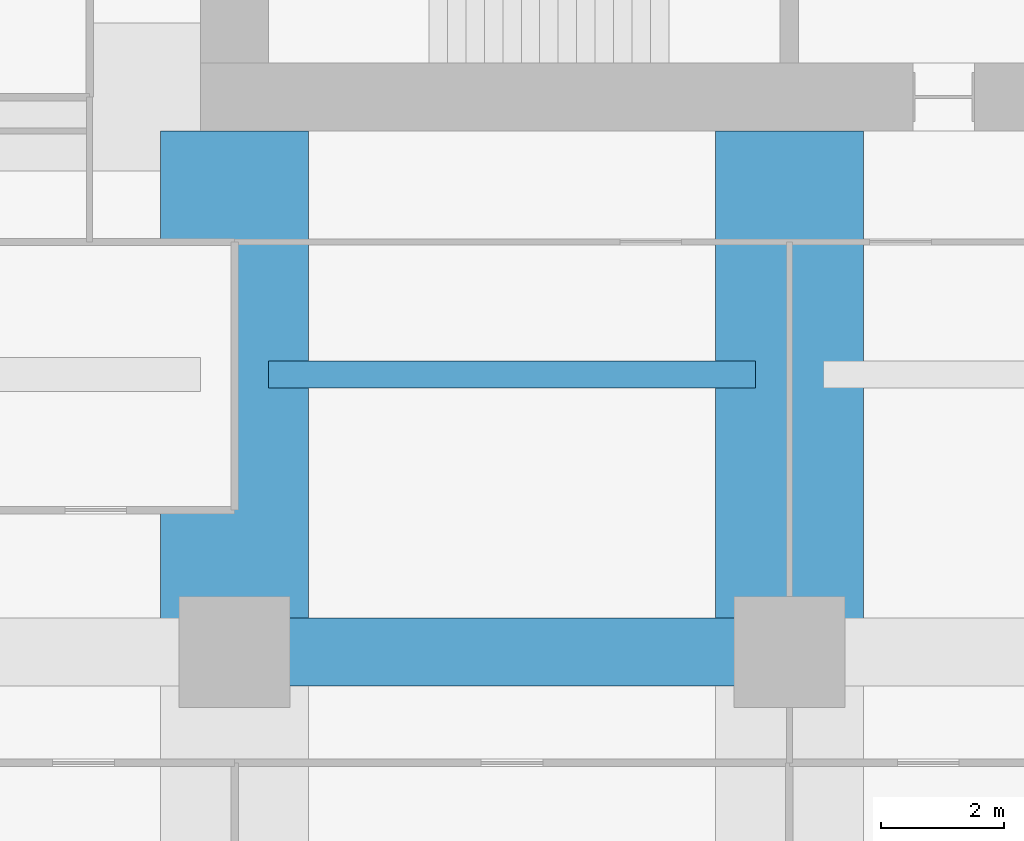
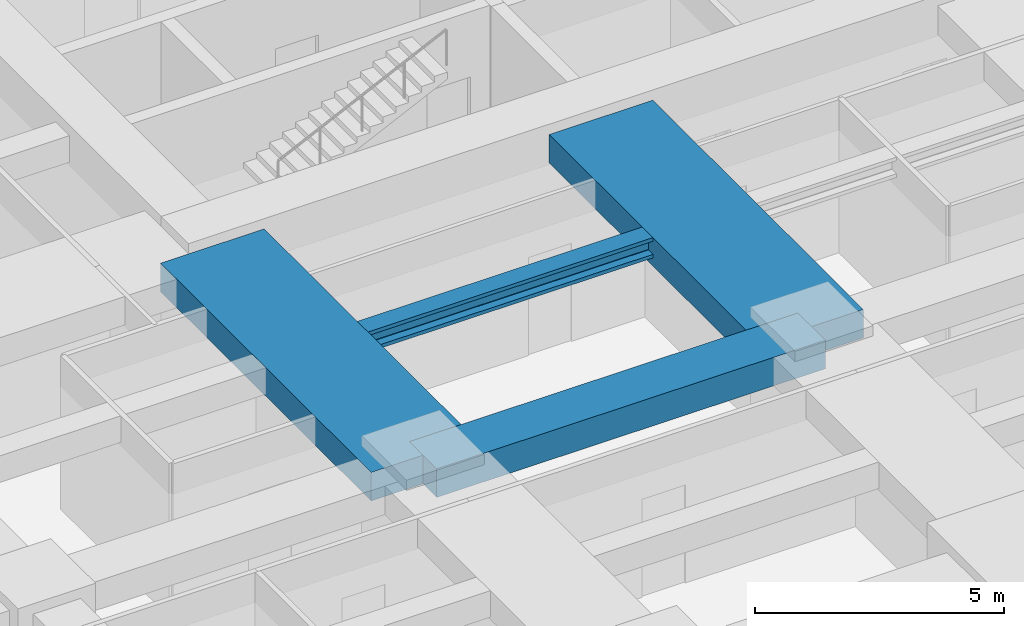
# One storey, part 9 of 36: 4 beams.
"""IFC4 building model written with IfcOpenShell, lengths in metres."""

from ifc_helpers import new_model, si_unit, direction, frame, origin, origin_2d, place, context, subcontext, project, spatial, rectangle, i_section, extrude, material, material_profile, profile_set, type_object, element, save


model = new_model("IFC4")

# Units and contexts
model_context = context("Model", 3, precision=1e-05, world=origin(), true_north=direction((0.0, 1.0)))
body_context = subcontext(model_context, "Body", "Model", "MODEL_VIEW")
ifc_project = project(units=[si_unit("LENGTHUNIT", "METRE"), si_unit("AREAUNIT", "SQUARE_METRE"), si_unit("VOLUMEUNIT", "CUBIC_METRE"), si_unit("PLANEANGLEUNIT", "RADIAN"), si_unit("MASSUNIT", "GRAM", prefix="KILO")], contexts=[model_context])

# Site, building, storey
site_placement = place(None, origin())
site = spatial("IfcSite", under=ifc_project, at=site_placement, CompositionType="ELEMENT")
building_placement = place(site_placement, origin())
building = spatial("IfcBuilding", under=site, at=building_placement, Name="Zorevar Civic Tower", CompositionType="ELEMENT")
storey_placement = place(building_placement, frame((0.0, 0.0, 166.199951171875)))
storey = spatial("IfcBuildingStorey", under=building, at=storey_placement, Name="L40", CompositionType="ELEMENT", Elevation=166.199951171875)

# Beams
ifc_material_1 = material(Name="Concrete C50/60", Category="concrete")
ifc_material_profile_1 = material_profile(ifc_material_1, rectangle(XDim=1.10009765625, YDim=0.699951171875, at=origin_2d()), Name="RC 1100x700")
ifc_profile_set_1 = profile_set([ifc_material_profile_1], Name="Concrete C50/60")
beam_type_1 = type_object("IfcBeamType", Name="Beam RC 1100x700", PredefinedType="BEAM", material=ifc_profile_set_1)
beam_1_placement = place(storey_placement, frame((18.0, 9.0, 3.400146484375), z_axis=(1.0, 0.0, 0.0), x_axis=(0.0, 1.0, 0.0)))
element("IfcBeam", 1, at=beam_1_placement, inside=storey, type_object=beam_type_1, Name="Girder L41", PredefinedType="BEAM", context=body_context, shape_type="SweptSolid", body=[
    extrude(rectangle(XDim=1.10009765625, YDim=0.699951171875, at=origin_2d()), origin(), (0.0, 0.0, 1.0), 9.0),
])
ifc_material_2 = material(Name="Concrete C50/60", Category="concrete")
ifc_material_profile_2 = material_profile(ifc_material_2, rectangle(XDim=2.39990234375, YDim=0.699951171875, at=origin_2d()), Name="RC 2400x700")
ifc_profile_set_2 = profile_set([ifc_material_profile_2], Name="Concrete C50/60")
beam_type_2 = type_object("IfcBeamType", Name="Beam RC 2400x700", PredefinedType="BEAM", material=ifc_profile_set_2)
for number, where, z_axis, x_axis, name in (
    (2, (18.0, 9.0, 3.400146484375), (0.0, 1.0, 0.0), (-1.0, 0.0, 0.0), "Girder L41"),
    (3, (27.0, 9.0, 3.400146484375), (0.0, 1.0, 0.0), (-1.0, 0.0, 0.0), "Girder L41"),
):
    element("IfcBeam", number, at=place(storey_placement, frame(where, z_axis=z_axis, x_axis=x_axis)), inside=storey, type_object=beam_type_2, Name=name, PredefinedType="BEAM", context=body_context, shape_type="SweptSolid", body=[
        extrude(rectangle(XDim=2.39990234375, YDim=0.699951171875, at=origin_2d()), origin(), (0.0, 0.0, 1.0), 8.449951171875),
    ])
ifc_material_3 = material(Name="Steel S460M (HISTAR 460)", Category="steel")
ifc_material_profile_3 = material_profile(ifc_material_3, i_section(OverallWidth=0.431884765625, OverallDepth=0.498046875, WebThickness=0.0556640625, FlangeThickness=0.0888671875, FilletRadius=0.014892578125, at=origin_2d()), Name="HD 400x744")
ifc_profile_set_3 = profile_set([ifc_material_profile_3], Name="Steel S460M (HISTAR 460)")
beam_type_3 = type_object("IfcBeamType", Name="Core bay beam HD 400x744", PredefinedType="BEAM", material=ifc_profile_set_3)
beam_2_placement = place(storey_placement, frame((18.550048828125, 13.5, 3.5009765625), z_axis=(1.0, 0.0, 0.0), x_axis=(0.0, 1.0, 0.0)))
element("IfcBeam", 4, at=beam_2_placement, inside=storey, type_object=beam_type_3, Name="Secondary beam L41", PredefinedType="BEAM", context=body_context, shape_type="SweptSolid", body=[
    extrude(i_section(OverallWidth=0.431884765625, OverallDepth=0.498046875, WebThickness=0.0556640625, FlangeThickness=0.0888671875, FilletRadius=0.014892578125, at=origin_2d()), origin(), (0.0, 0.0, 1.0), 7.89990234375),
])

save(model, "model.ifc")
